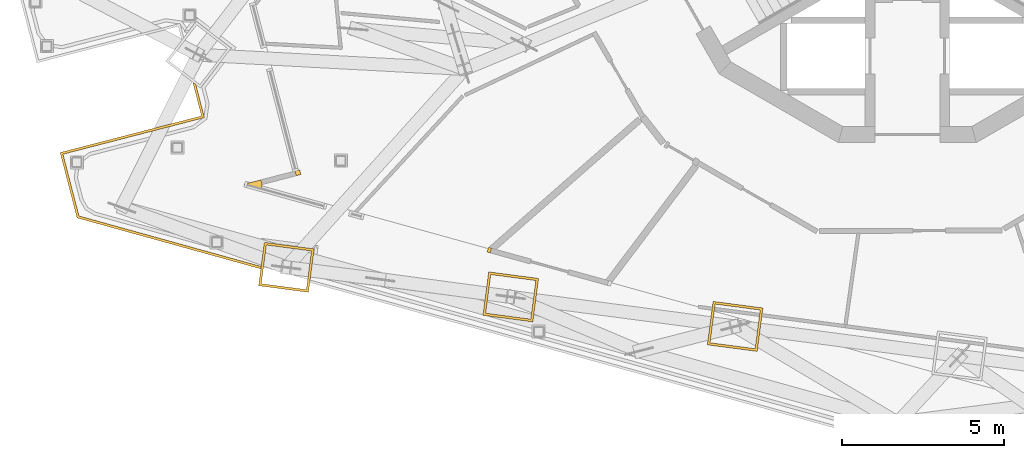
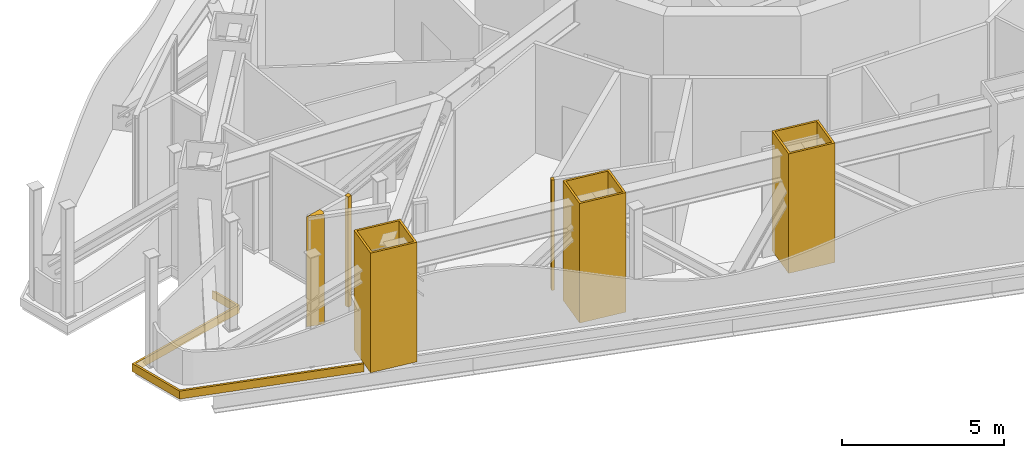
# One storey, part 15 of 22: 7 coverings.
"""IFC4 building model written with IfcOpenShell, lengths in metres."""

import ifcopenshell
import ifcopenshell.guid

model = None  # the IFC model being written
_history = None  # IfcOwnerHistory: only IFC2X3 demands one
_inside = {}  # id of a spatial element -> (the spatial element, [elements in it])
_under = {}  # id of a project, library or spatial element -> (it, [spatial elements below it])
_declared = {}  # id of a project -> (the project, [libraries it declares])
_typed = {}  # id of a type object -> (the type object, [elements of that type])
_made_of = {}  # id of a material, layer set ... -> (it, [elements and type objects made of it])


def new_model(schema):
    """Start an empty IFC model of exactly this schema.

    Asked for "IFC4X3", IfcOpenShell would pick the latest addendum, in which some entities
    have other attributes; the version numbers below select the first issue.
    IFC2X3 requires an IfcOwnerHistory on every rooted entity: one is made here for all.
    """
    global model, _history
    if schema == "IFC4X3":
        model = ifcopenshell.file(schema_version=(4, 3, 0, 0))
    else:
        model = ifcopenshell.file(schema=schema)
    _inside.clear()
    _under.clear()
    _declared.clear()
    _typed.clear()
    _made_of.clear()
    _history = None
    if model.schema == "IFC2X3":
        org = make("IfcOrganization", Name="unknown")
        user = make(
            "IfcPersonAndOrganization",
            ThePerson=make("IfcPerson", FamilyName="unknown"),
            TheOrganization=org,
        )
        app = make(
            "IfcApplication",
            ApplicationDeveloper=org,
            Version="unknown",
            ApplicationFullName="unknown",
            ApplicationIdentifier="unknown",
        )
        _history = make(
            "IfcOwnerHistory",
            OwningUser=user,
            OwningApplication=app,
            ChangeAction="ADDED",
            CreationDate=0,
        )
    return model


def make(cls, **values):
    """One entity of the class cls with the attributes given. An attribute that is None is left unset."""
    return model.create_entity(
        cls, **{name: value for name, value in values.items() if value is not None}
    )


def rooted(cls, **values):
    """An entity with a GlobalId (a new one), such as an element, a storey or a relation."""
    return make(cls, GlobalId=ifcopenshell.guid.new(), OwnerHistory=_history, **values)


def si_unit(unit_type, name, prefix=None):
    """IfcSIUnit, for example si_unit("LENGTHUNIT", "METRE", prefix="MILLI")."""
    return make("IfcSIUnit", UnitType=unit_type, Prefix=prefix, Name=name)


def assignment(units):
    """IfcUnitAssignment: the units of a project."""
    return None if units is None else make("IfcUnitAssignment", Units=units)


def point(xyz):
    """IfcCartesianPoint."""
    return None if xyz is None else make("IfcCartesianPoint", Coordinates=xyz)


def direction(xyz):
    """IfcDirection."""
    return None if xyz is None else make("IfcDirection", DirectionRatios=xyz)


def frame(location, z_axis=None, x_axis=None):
    """IfcAxis2Placement3D, a coordinate frame: its origin and axes. An axis left out is left unset."""
    return make(
        "IfcAxis2Placement3D",
        Location=point(location),
        Axis=direction(z_axis),
        RefDirection=direction(x_axis),
    )


def origin():
    """The frame at (0, 0, 0) with its axes left unset."""
    return frame((0.0, 0.0, 0.0))


def place(relative_to, where):
    """IfcLocalPlacement: puts the frame where relative to a parent placement (None: the world)."""
    return make(
        "IfcLocalPlacement", PlacementRelTo=relative_to, RelativePlacement=where
    )


def context(
    kind, dimensions, precision=None, world=None, true_north=None, identifier=None
):
    """IfcGeometricRepresentationContext, for example the 3D "Model" context."""
    return make(
        "IfcGeometricRepresentationContext",
        ContextIdentifier=identifier,
        ContextType=kind,
        CoordinateSpaceDimension=dimensions,
        Precision=precision,
        WorldCoordinateSystem=world,
        TrueNorth=true_north,
    )


def subcontext(parent, identifier, kind, view, scale=None):
    """IfcGeometricRepresentationSubContext, for example "Body" below "Model"."""
    return make(
        "IfcGeometricRepresentationSubContext",
        ContextIdentifier=identifier,
        ContextType=kind,
        ParentContext=parent,
        TargetScale=scale,
        TargetView=view,
    )


def project(units=None, contexts=None):
    """IfcProject with its units and contexts."""
    return rooted(
        "IfcProject",
        Name="project",
        RepresentationContexts=contexts,
        UnitsInContext=assignment(units),
    )


def spatial(cls, under=None, at=None, **own):
    """A site, building, storey or space (cls), placed at a placement, below another one or the project."""
    s = rooted(cls, ObjectPlacement=at, **own)
    if under is not None:
        _under.setdefault(under.id(), (under, []))[1].append(s)
    return s


def polyline(points):
    """IfcPolyline through the points."""
    return make("IfcPolyline", Points=[point(p) for p in points])


def outline(outer, holes=None, kind="AREA"):
    """IfcArbitraryClosedProfileDef: a profile drawn as a closed curve; with holes, ...WithVoids."""
    if holes is None:
        return make("IfcArbitraryClosedProfileDef", ProfileType=kind, OuterCurve=outer)
    return make(
        "IfcArbitraryProfileDefWithVoids",
        ProfileType=kind,
        OuterCurve=outer,
        InnerCurves=holes,
    )


def extrude(swept, where, along, depth):
    """IfcExtrudedAreaSolid: the profile swept, set in the frame where, extruded along a direction by depth."""
    return make(
        "IfcExtrudedAreaSolid",
        SweptArea=swept,
        Position=where,
        ExtrudedDirection=direction(along),
        Depth=depth,
    )


def shape(context_of_items, identifier, shape_type, items):
    """IfcShapeRepresentation: the items that make up one representation, for example the "Body"."""
    return make(
        "IfcShapeRepresentation",
        ContextOfItems=context_of_items,
        RepresentationIdentifier=identifier,
        RepresentationType=shape_type,
        Items=items,
    )


def material(Name=None, Category=None):
    """IfcMaterial."""
    return make("IfcMaterial", Name=Name, Category=Category)


def layer(
    of_material, thickness, ventilated=None, Name=None, Category=None, Priority=None
):
    """IfcMaterialLayer: one layer of a wall or slab, of a material (None: an air gap)."""
    return make(
        "IfcMaterialLayer",
        Material=of_material,
        LayerThickness=thickness,
        IsVentilated=ventilated,
        Name=Name,
        Category=Category,
        Priority=Priority,
    )


def layer_set(layers, Name=None):
    """IfcMaterialLayerSet."""
    return make("IfcMaterialLayerSet", MaterialLayers=layers, LayerSetName=Name)


def made_of(thing, what):
    """Note that an element or type object is made of a material, layer set ...; save() writes the relation."""
    if what is not None:
        _made_of.setdefault(what.id(), (what, []))[1].append(thing)
    return thing


def type_object(cls, material=None, **own):
    """A type object (cls), such as IfcWallType, which elements share."""
    return made_of(rooted(cls, **own), material)


def element(
    cls,
    number,
    at=None,
    inside=None,
    cuts=None,
    type_object=None,
    material=None,
    context=None,
    identifier="Body",
    shape_type=None,
    held_by="IfcProductDefinitionShape",
    body=None,
    shapes=None,
    **own,
):
    """One element of the class cls, such as IfcWall. Its Tag is "e" and its number.

    at: its placement. inside: the storey or other place that contains it. cuts: it is an
    opening in that element (IfcRelVoidsElement). A single representation is given by context,
    identifier, shape_type and body (its items); several are given by shapes. held_by: the class
    of the entity that holds the representations. save() writes the other relations.
    """
    e = rooted(cls, Tag="e%d" % number, ObjectPlacement=at, **own)
    if body is not None:
        shapes = [shape(context, identifier, shape_type, body)]
    if shapes is not None:
        e.Representation = make(held_by, Representations=shapes)
    if inside is not None:
        _inside.setdefault(inside.id(), (inside, []))[1].append(e)
    if cuts is not None:
        rooted(
            "IfcRelVoidsElement", RelatingBuildingElement=cuts, RelatedOpeningElement=e
        )
    if type_object is not None:
        _typed.setdefault(type_object.id(), (type_object, []))[1].append(e)
    return made_of(e, material)


def aggregate(whole, parts):
    """IfcRelAggregates: a whole, such as a stair, and the parts it consists of."""
    return rooted("IfcRelAggregates", RelatingObject=whole, RelatedObjects=parts)


def save(model, path):
    """Write the relations noted so far, then the file.

    IfcRelAggregates (storeys below a building ...), IfcRelContainedInSpatialStructure (elements
    in a storey), IfcRelDefinesByType, IfcRelAssociatesMaterial and IfcRelDeclares: one each for
    every whole, place, type object, material and project.
    """
    for whole, parts in _under.values():
        aggregate(whole, parts)
    for where, things in _inside.values():
        rooted(
            "IfcRelContainedInSpatialStructure",
            RelatedElements=things,
            RelatingStructure=where,
        )
    for kind, things in _typed.values():
        rooted("IfcRelDefinesByType", RelatedObjects=things, RelatingType=kind)
    for what, things in _made_of.values():
        rooted("IfcRelAssociatesMaterial", RelatedObjects=things, RelatingMaterial=what)
    for by, libraries in _declared.values():
        rooted("IfcRelDeclares", RelatingContext=by, RelatedDefinitions=libraries)
    model.write(path)


model = new_model("IFC4")

# Units and contexts
model_context = context("Model", 3, precision=1e-05, world=origin(), true_north=direction((0.0, 1.0)))
body_context = subcontext(model_context, "Body", "Model", "MODEL_VIEW")
ifc_project = project(units=[si_unit("LENGTHUNIT", "METRE"), si_unit("AREAUNIT", "SQUARE_METRE"), si_unit("VOLUMEUNIT", "CUBIC_METRE"), si_unit("PLANEANGLEUNIT", "RADIAN"), si_unit("MASSUNIT", "GRAM", prefix="KILO")], contexts=[model_context])

# Site, building, storey
site_placement = place(None, origin())
site = spatial("IfcSite", under=ifc_project, at=site_placement, CompositionType="ELEMENT")
building_placement = place(site_placement, origin())
building = spatial("IfcBuilding", under=site, at=building_placement, Name="Trine Commons Tower", CompositionType="ELEMENT")
storey_placement = place(building_placement, frame((0.0, 0.0, 267.300048828125)))
storey = spatial("IfcBuildingStorey", under=building, at=storey_placement, Name="L70", CompositionType="ELEMENT", Elevation=267.300048828125)

# Coverings
ifc_material_1 = material(Name="Aluminium-framed insulated wall panel", Category="aluminium")
ifc_layer_1 = layer(ifc_material_1, 0.14990234375)
ifc_layer_set_1 = layer_set([ifc_layer_1], Name="Aluminium-framed insulated wall panel")
covering_type_1 = type_object("IfcCoveringType", Name="Glazing corner post, aluminium", PredefinedType="CLADDING", material=ifc_layer_set_1)
covering_1_placement = place(storey_placement, origin())
element("IfcCovering", 1, at=covering_1_placement, inside=storey, type_object=covering_type_1, Name="Entrance wall jamb post F3 7B", PredefinedType="CLADDING", context=body_context, shape_type="SweptSolid", body=[
    extrude(outline(polyline([(67.151611328125, 51.184326171875), (67.05517578125, 51.211181640625), (67.09521484375, 51.355712890625), (67.191650390625, 51.328857421875), (67.151611328125, 51.184326171875)])), origin(), (0.0, 0.0, 1.0), 4.14990234375),
])
covering_2_placement = place(storey_placement, origin())
element("IfcCovering", 2, at=covering_2_placement, inside=storey, type_object=covering_type_1, Name="Glazing corner post 7-10", PredefinedType="CLADDING", context=body_context, shape_type="SweptSolid", body=[
    extrude(outline(polyline([(60.081787109375, 53.14501953125), (60.121826171875, 53.28955078125), (60.084228515625, 53.434814453125), (59.542236328125, 53.294677734375), (60.081787109375, 53.14501953125)])), origin(), (0.0, 0.0, 1.0), 4.14990234375),
])
covering_3_placement = place(storey_placement, origin())
element("IfcCovering", 3, at=covering_3_placement, inside=storey, type_object=covering_type_1, Name="Glazing corner post 7-11", PredefinedType="CLADDING", context=body_context, shape_type="SweptSolid", body=[
    extrude(outline(polyline([(61.135498046875, 53.70654296875), (61.135498046875, 53.70654296875), (61.173095703125, 53.561279296875), (61.318115234375, 53.598876953125), (61.28076171875, 53.744140625), (61.135498046875, 53.70654296875)])), origin(), (0.0, 0.0, 1.0), 4.14990234375),
])
ifc_material_2 = material(Name="Limestone, honed", Category="masonry")
ifc_layer_2 = layer(ifc_material_2, 0.074951171875)
ifc_layer_set_2 = layer_set([ifc_layer_2], Name="Limestone, honed")
covering_type_2 = type_object("IfcCoveringType", Name="Limestone column cladding 75", PredefinedType="CLADDING", material=ifc_layer_set_2)
covering_4_placement = place(storey_placement, origin())
element("IfcCovering", 4, at=covering_4_placement, inside=storey, type_object=covering_type_2, Name="Limestone pier cladding 8-04", PredefinedType="CLADDING", context=body_context, shape_type="SweptSolid", body=[
    extrude(outline(polyline([(74.015380859375, 49.689453125), (73.839111328125, 48.35107421875), (75.3759765625, 48.148681640625), (75.552001953125, 49.4873046875), (74.015380859375, 49.689453125)]), holes=[polyline([(74.079833984375, 49.605224609375), (73.92333984375, 48.41552734375), (75.311279296875, 48.23291015625), (75.468017578125, 49.422607421875), (74.079833984375, 49.605224609375)])]), origin(), (0.0, 0.0, 1.0), 4.5),
])
covering_5_placement = place(storey_placement, origin())
element("IfcCovering", 5, at=covering_5_placement, inside=storey, type_object=covering_type_2, Name="Limestone pier cladding 8-05", PredefinedType="CLADDING", context=body_context, shape_type="SweptSolid", body=[
    extrude(outline(polyline([(67.102294921875, 50.599609375), (66.926025390625, 49.260986328125), (68.462890625, 49.058837890625), (68.638916015625, 50.397216796875), (67.102294921875, 50.599609375)]), holes=[polyline([(67.166748046875, 50.515380859375), (67.01025390625, 49.32568359375), (68.398193359375, 49.14306640625), (68.5546875, 50.332763671875), (67.166748046875, 50.515380859375)])]), origin(), (0.0, 0.0, 1.0), 4.5),
])
covering_6_placement = place(storey_placement, origin())
element("IfcCovering", 6, at=covering_6_placement, inside=storey, type_object=covering_type_2, Name="Limestone pier cladding 8-06", PredefinedType="CLADDING", context=body_context, shape_type="SweptSolid", body=[
    extrude(outline(polyline([(60.189208984375, 51.509765625), (60.012939453125, 50.171142578125), (61.5498046875, 49.968994140625), (61.72607421875, 51.307373046875), (60.189208984375, 51.509765625)]), holes=[polyline([(60.25390625, 51.425537109375), (60.09716796875, 50.23583984375), (61.485107421875, 50.052978515625), (61.641845703125, 51.242919921875), (60.25390625, 51.425537109375)])]), origin(), (0.0, 0.0, 1.0), 4.5),
])
ifc_layer_3 = layer(ifc_material_2, 0.074951171875)
ifc_layer_set_3 = layer_set([ifc_layer_3], Name="Limestone, honed")
covering_type_3 = type_object("IfcCoveringType", Name="Limestone spandrel panel 75", PredefinedType="CLADDING", material=ifc_layer_set_3)
covering_7_placement = place(storey_placement, frame((0.0, 0.0, -0.300048828125)))
element("IfcCovering", 7, at=covering_7_placement, inside=storey, type_object=covering_type_3, Name="Limestone spandrel panel 7-01", PredefinedType="CLADDING", context=body_context, shape_type="SweptSolid", body=[
    extrude(outline(polyline([(54.418212890625, 52.26123046875), (60.081298828125, 50.69091796875), (60.09130859375, 50.765869140625), (54.47998046875, 52.322021484375), (53.98828125, 54.2236328125), (58.344970703125, 55.350341796875), (58.081298828125, 56.369384765625), (57.98486328125, 56.443603515625), (58.253662109375, 55.404052734375), (53.89697265625, 54.27734375), (54.418212890625, 52.26123046875)])), origin(), (0.0, 0.0, 1.0), 0.300048828125),
])

save(model, "model.ifc")
